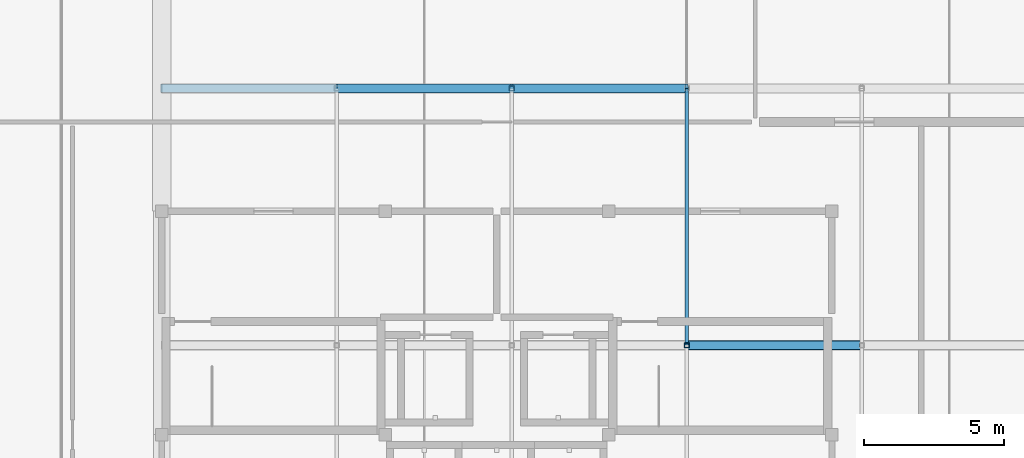
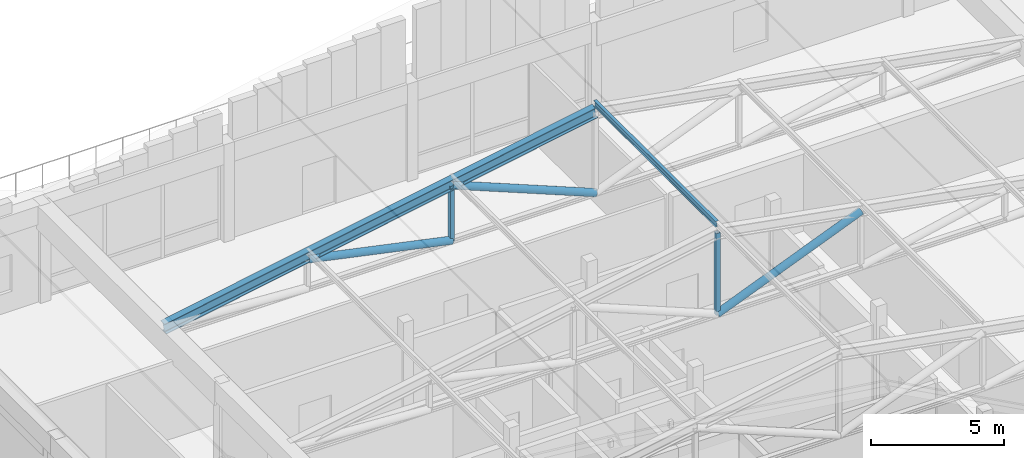
# One storey, part 9 of 24: 7 members.
"""IFC4 building model written with IfcOpenShell, lengths in metres."""

from ifc_helpers import new_model, si_unit, direction, frame, origin, origin_2d, place, context, subcontext, project, spatial, hollow_rectangle, hollow_circle, i_section, extrude, material, material_profile, profile_set, type_object, element, save


model = new_model("IFC4")

# Units and contexts
model_context = context("Model", 3, precision=1e-05, world=origin(), true_north=direction((0.0, 1.0)))
body_context = subcontext(model_context, "Body", "Model", "MODEL_VIEW")
ifc_project = project(units=[si_unit("LENGTHUNIT", "METRE"), si_unit("AREAUNIT", "SQUARE_METRE"), si_unit("VOLUMEUNIT", "CUBIC_METRE"), si_unit("PLANEANGLEUNIT", "RADIAN"), si_unit("MASSUNIT", "GRAM", prefix="KILO")], contexts=[model_context])

# Site, building, storey
site_placement = place(None, origin())
site = spatial("IfcSite", under=ifc_project, at=site_placement, CompositionType="ELEMENT")
building_placement = place(site_placement, origin())
building = spatial("IfcBuilding", under=site, at=building_placement, Name="Vellmiral Cinema and Media Centre", CompositionType="ELEMENT")
storey_placement = place(building_placement, frame((0.0, 0.0, 66.60009765625)))
storey = spatial("IfcBuildingStorey", under=building, at=storey_placement, Name="L16", CompositionType="ELEMENT", Elevation=66.60009765625)

# Members
ifc_material_1 = material(Name="Steel S355", Category="steel")
ifc_material_profile_1 = material_profile(ifc_material_1, i_section(OverallWidth=0.135009765625, OverallDepth=0.27001953125, WebThickness=0.006591796875, FlangeThickness=0.01025390625, FilletRadius=0.014892578125, at=origin_2d()), Name="IPE 270")
ifc_profile_set_1 = profile_set([ifc_material_profile_1], Name="Steel S355")
member_type_1 = type_object("IfcMemberType", Name="PRL-IPE270", PredefinedType="PURLIN", material=ifc_profile_set_1)
member_1_placement = place(storey_placement, frame((142.800048828125, 90.39990234375, 7.984130859375), z_axis=(0.0, 1.0, 0.0), x_axis=(-1.0, 0.0, 0.0)))
element("IfcMember", 1, at=member_1_placement, inside=storey, type_object=member_type_1, Name="Roof Purlin VR-CROWN.3.2", PredefinedType="PURLIN", context=body_context, shape_type="SweptSolid", body=[
    extrude(i_section(OverallWidth=0.135009765625, OverallDepth=0.27001953125, WebThickness=0.006591796875, FlangeThickness=0.01025390625, FilletRadius=0.014892578125, at=origin_2d()), origin(), (0.0, 0.0, 1.0), 9.2001953125),
])
ifc_material_2 = material(Name="Steel S355", Category="steel")
ifc_material_profile_2 = material_profile(ifc_material_2, hollow_circle(Radius=0.161865234375, WallThickness=0.012451171875, at=origin_2d()), Name="CHS 323.9x12.5")
ifc_profile_set_2 = profile_set([ifc_material_profile_2], Name="Steel S355")
member_type_2 = type_object("IfcMemberType", Name="TBR-CHS324", PredefinedType="BRACE", material=ifc_profile_set_2)
member_2_placement = place(storey_placement, frame((142.800048828125, 90.39990234375, 3.849853515625), z_axis=(0.926449270601, 0.0, 0.376419644815), x_axis=(0.0, 1.0, 0.0)))
element("IfcMember", 2, at=member_2_placement, inside=storey, type_object=member_type_2, Name="Roof Truss TR-10.2 Diagonal 4", PredefinedType="BRACE", context=body_context, shape_type="SweptSolid", body=[
    extrude(hollow_circle(Radius=0.161865234375, WallThickness=0.012451171875, at=origin_2d()), origin(), (0.0, 0.0, 1.0), 6.76416015625),
])
member_3_placement = place(storey_placement, frame((130.2666015625, 99.60009765625, 5.177978515625), z_axis=(0.978272320026, 0.0, -0.207324064862), x_axis=(0.0, 1.0, 0.0)))
element("IfcMember", 3, at=member_3_placement, inside=storey, type_object=member_type_2, Name="Roof Truss TR-10.3 Diagonal 2", PredefinedType="BRACE", context=body_context, shape_type="SweptSolid", body=[
    extrude(hollow_circle(Radius=0.161865234375, WallThickness=0.012451171875, at=origin_2d()), origin(), (0.0, 0.0, 1.0), 6.406005859375),
])
member_4_placement = place(storey_placement, frame((136.533447265625, 99.60009765625, 6.39599609375), z_axis=(0.926449270601, 0.0, -0.376419644815), x_axis=(0.0, 1.0, 0.0)))
element("IfcMember", 4, at=member_4_placement, inside=storey, type_object=member_type_2, Name="Roof Truss TR-10.3 Diagonal 3", PredefinedType="BRACE", context=body_context, shape_type="SweptSolid", body=[
    extrude(hollow_circle(Radius=0.161865234375, WallThickness=0.012451171875, at=origin_2d()), origin(), (0.0, 0.0, 1.0), 6.76416015625),
])
ifc_material_3 = material(Name="Steel S355", Category="steel")
ifc_material_profile_3 = material_profile(ifc_material_3, hollow_rectangle(XDim=0.179931640625, YDim=0.179931640625, WallThickness=0.010009765625, at=origin_2d()), Name="SHS 180x180x10.0")
ifc_profile_set_3 = profile_set([ifc_material_profile_3], Name="Steel S355")
member_type_3 = type_object("IfcMemberType", Name="TBR-SHS180", PredefinedType="BRACE", material=ifc_profile_set_3)
member_5_placement = place(storey_placement, frame((142.800048828125, 90.39990234375, 3.849853515625), z_axis=(0.0, 0.0, 1.0), x_axis=(1.0, 0.0, 0.0)))
element("IfcMember", 5, at=member_5_placement, inside=storey, type_object=member_type_3, Name="Roof Truss TR-10.2 Post 3", PredefinedType="BRACE", context=body_context, shape_type="SweptSolid", body=[
    extrude(hollow_rectangle(XDim=0.179931640625, YDim=0.179931640625, WallThickness=0.010009765625, at=origin_2d()), origin(), (0.0, 0.0, 1.0), 3.764404296875),
])
member_6_placement = place(storey_placement, frame((136.533447265625, 99.60009765625, 3.849853515625), z_axis=(0.0, 0.0, 1.0), x_axis=(1.0, 0.0, 0.0)))
element("IfcMember", 6, at=member_6_placement, inside=storey, type_object=member_type_3, Name="Roof Truss TR-10.3 Post 2", PredefinedType="BRACE", context=body_context, shape_type="SweptSolid", body=[
    extrude(hollow_rectangle(XDim=0.179931640625, YDim=0.179931640625, WallThickness=0.010009765625, at=origin_2d()), origin(), (0.0, 0.0, 1.0), 2.546142578125),
])
ifc_material_4 = material(Name="Steel S355", Category="steel")
ifc_material_profile_4 = material_profile(ifc_material_4, i_section(OverallWidth=0.300048828125, OverallDepth=0.489990234375, WebThickness=0.011962890625, FlangeThickness=0.02294921875, FilletRadius=0.027099609375, at=origin_2d()), Name="HEA 500")
ifc_profile_set_4 = profile_set([ifc_material_profile_4], Name="Steel S355")
member_type_4 = type_object("IfcMemberType", Name="TCH-HEA500", PredefinedType="CHORD", material=ifc_profile_set_4)
member_7_placement = place(storey_placement, frame((124.0, 99.60009765625, 4.224853515625), z_axis=(0.984134042087, 0.0, 0.177426568486), x_axis=(0.0, 1.0, 0.0)))
element("IfcMember", 7, at=member_7_placement, inside=storey, type_object=member_type_4, Name="Roof Truss TR-10.3 Top Chord W", PredefinedType="CHORD", context=body_context, shape_type="SweptSolid", body=[
    extrude(i_section(OverallWidth=0.300048828125, OverallDepth=0.489990234375, WebThickness=0.011962890625, FlangeThickness=0.02294921875, FilletRadius=0.027099609375, at=origin_2d()), origin(), (0.0, 0.0, 1.0), 19.10302734375),
])

save(model, "model.ifc")
